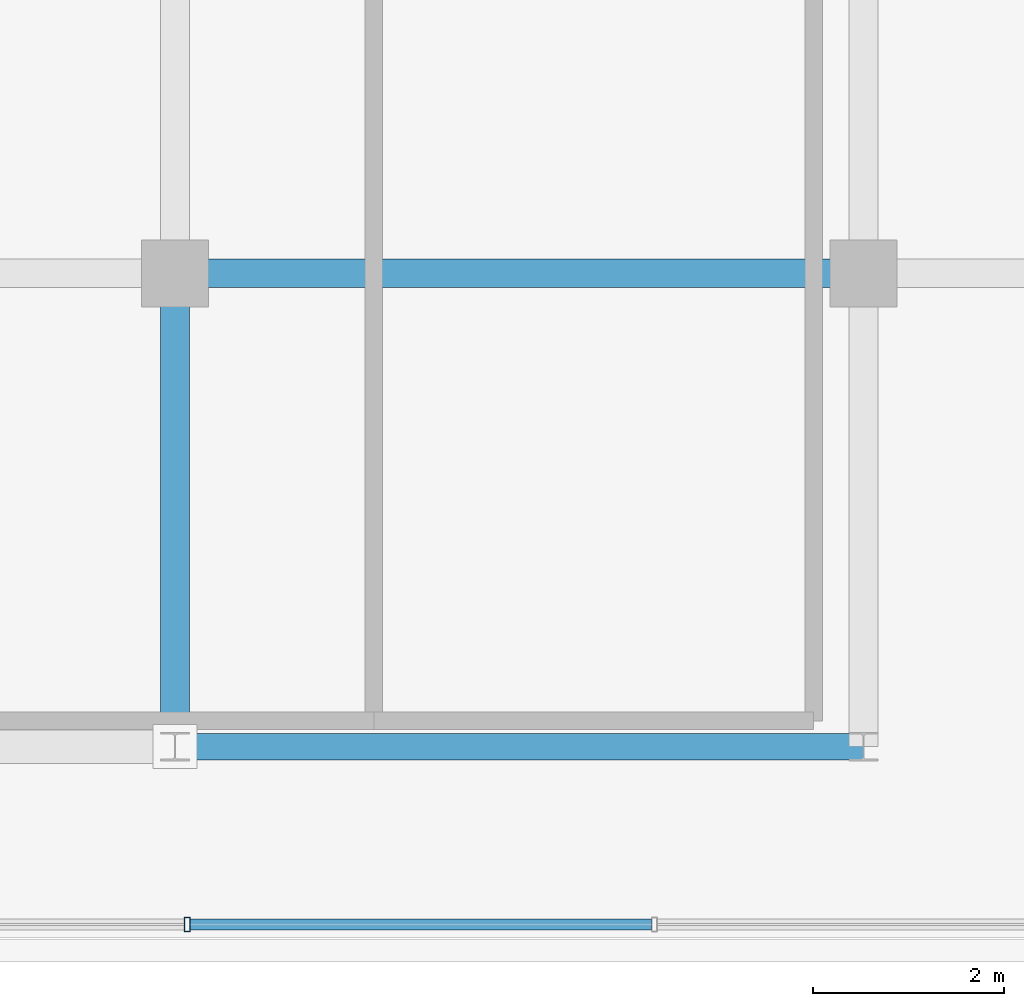
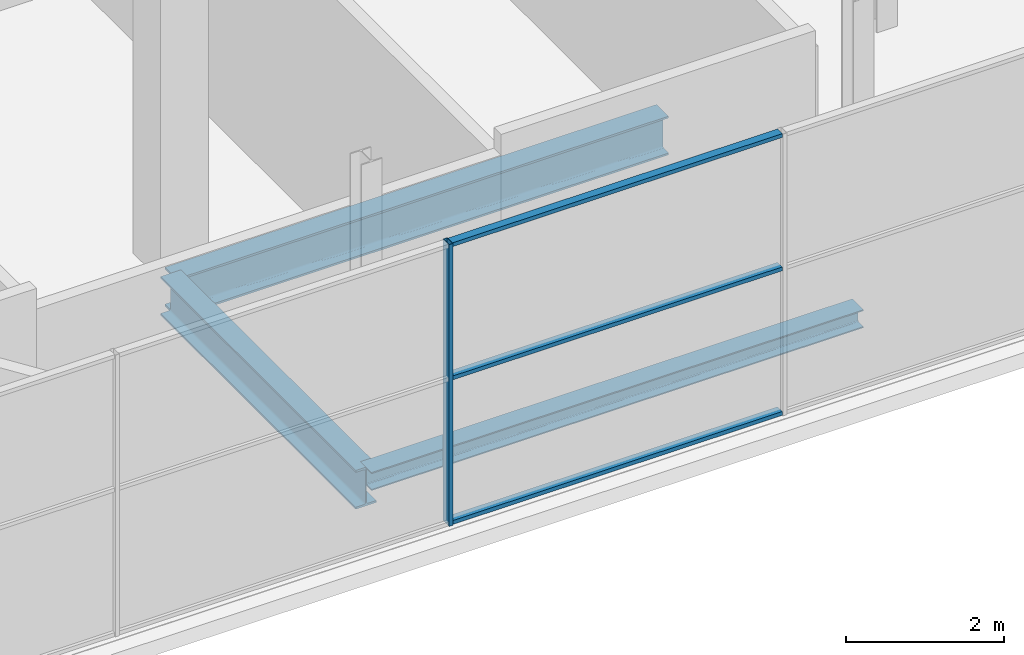
# One storey, part 9 of 28: 4 members, 3 beams, 1 element without a shape of its own.
"""IFC4 building model written with IfcOpenShell, lengths in metres."""

from ifc_helpers import new_model, si_unit, direction, frame, origin, origin_2d, place, context, subcontext, project, spatial, hollow_rectangle, i_section, extrude, source, transform, mapped, material, layer, layer_set, material_profile, profile_set, type_object, element, aggregate, save


model = new_model("IFC4")

# Units and contexts
model_context = context("Model", 3, precision=1e-05, world=origin(), true_north=direction((0.0, 1.0)))
body_context = subcontext(model_context, "Body", "Model", "MODEL_VIEW")
ifc_project = project(units=[si_unit("LENGTHUNIT", "METRE"), si_unit("AREAUNIT", "SQUARE_METRE"), si_unit("VOLUMEUNIT", "CUBIC_METRE"), si_unit("PLANEANGLEUNIT", "RADIAN"), si_unit("MASSUNIT", "GRAM", prefix="KILO")], contexts=[model_context])

# Site, building, storey
site_placement = place(None, origin())
site = spatial("IfcSite", under=ifc_project, at=site_placement, CompositionType="ELEMENT")
building_placement = place(site_placement, origin())
building = spatial("IfcBuilding", under=site, at=building_placement, Name="Zarnakvel Exchange Tower", CompositionType="ELEMENT")
storey_placement = place(building_placement, frame((0.0, 0.0, 276.199951171875)))
storey = spatial("IfcBuildingStorey", under=building, at=storey_placement, Name="Crown L78", CompositionType="ELEMENT", Elevation=276.199951171875)

# Beams
ifc_material_1 = material(Name="Steel S355", Category="steel")
ifc_material_profile_1 = material_profile(ifc_material_1, i_section(OverallWidth=0.300048828125, OverallDepth=0.60009765625, WebThickness=0.015380859375, FlangeThickness=0.030029296875, FilletRadius=0.027099609375, at=origin_2d()))
ifc_profile_set_1 = profile_set([ifc_material_profile_1], Name="Steel S355")
beam_type_1 = type_object("IfcBeamType", Name="G-04", PredefinedType="BEAM", material=ifc_profile_set_1)
beam_1_placement = place(storey_placement, frame((7.199951171875, -9.60009765625, -0.52001953125), z_axis=(1.0, 0.0, 0.0), x_axis=(0.0, 1.0, 0.0)))
element("IfcBeam", 1, at=beam_1_placement, inside=storey, type_object=beam_type_1, Name="Crown L78 Tower E-W Frame Beam", PredefinedType="BEAM", context=body_context, shape_type="SweptSolid", body=[
    extrude(i_section(OverallWidth=0.300048828125, OverallDepth=0.60009765625, WebThickness=0.015380859375, FlangeThickness=0.030029296875, FilletRadius=0.027099609375, at=origin_2d()), origin(), (0.0, 0.0, 1.0), 7.199951171875),
])
beam_2_placement = place(storey_placement, frame((7.199951171875, -14.550048828125, -0.52001953125), z_axis=(0.0, 1.0, 0.0), x_axis=(-1.0, 0.0, 0.0)))
element("IfcBeam", 2, at=beam_2_placement, inside=storey, type_object=beam_type_1, Name="Crown L78 Tower N-S Frame Beam", PredefinedType="BEAM", context=body_context, shape_type="SweptSolid", body=[
    extrude(i_section(OverallWidth=0.300048828125, OverallDepth=0.60009765625, WebThickness=0.015380859375, FlangeThickness=0.030029296875, FilletRadius=0.027099609375, at=origin_2d()), origin(), (0.0, 0.0, 1.0), 4.949951171875),
])
ifc_material_profile_2 = material_profile(ifc_material_1, i_section(OverallWidth=0.280029296875, OverallDepth=0.280029296875, WebThickness=0.010498046875, FlangeThickness=0.01806640625, FilletRadius=0.02392578125, at=origin_2d()))
ifc_profile_set_2 = profile_set([ifc_material_profile_2], Name="Steel S355")
beam_type_2 = type_object("IfcBeamType", Name="SP-04", PredefinedType="SPANDREL", material=ifc_profile_set_2)
beam_3_placement = place(storey_placement, frame((7.199951171875, -14.550048828125, -0.35986328125), z_axis=(1.0, 0.0, 0.0), x_axis=(0.0, 1.0, 0.0)))
element("IfcBeam", 3, at=beam_3_placement, inside=storey, type_object=beam_type_2, Name="Crown L78 Tower E-W Frame Beam", PredefinedType="SPANDREL", context=body_context, shape_type="SweptSolid", body=[
    extrude(i_section(OverallWidth=0.280029296875, OverallDepth=0.280029296875, WebThickness=0.010498046875, FlangeThickness=0.01806640625, FilletRadius=0.02392578125, at=origin_2d()), origin(), (0.0, 0.0, 1.0), 7.199951171875),
])

# Curtain wall, members
ifc_material_2 = material(Name="Architectural Bronze Anodised Aluminium", Category="aluminium")
ifc_layer = layer(ifc_material_2, 0.14990234375)
ifc_layer_set = layer_set([ifc_layer], Name="Architectural Bronze Anodised Aluminium")
curtain_wall_type = type_object("IfcCurtainWallType", Name="CW-07", PredefinedType="NOTDEFINED", material=ifc_layer_set)
curtain_wall_placement = place(storey_placement, origin())
curtain_wall = element("IfcCurtainWall", 4, at=curtain_wall_placement, inside=storey, type_object=curtain_wall_type, Name="Crown L78 Curtain Wall CW-Crown L78-S (CW-07)", PredefinedType="NOTDEFINED")
ifc_material_profile_3 = material_profile(ifc_material_2, hollow_rectangle(XDim=0.14990234375, YDim=0.06005859375, WallThickness=0.00390625, at=origin_2d()))
ifc_profile_set_3 = profile_set([ifc_material_profile_3], Name="Architectural Bronze Anodised Aluminium")
member_type_1 = type_object("IfcMemberType", Name="CWM-07", PredefinedType="MULLION", material=ifc_profile_set_3)
shared_shape_1 = source(origin(), body_context, "Body", "SweptSolid", [
    extrude(hollow_rectangle(XDim=0.14990234375, YDim=0.06005859375, WallThickness=0.00390625, at=origin_2d()), origin(), (0.0, 0.0, 1.0), 4.360107421875),
])
member_1_placement = place(storey_placement, frame((7.32861328125, -16.409912109375, 0.0), z_axis=(0.0, 0.0, 1.0), x_axis=(0.0, 1.0, 0.0)))
member_1 = element("IfcMember", 5, at=member_1_placement, type_object=member_type_1, Name="CW-07 mullion 6", PredefinedType="MULLION", context=body_context, shape_type="MappedRepresentation", body=[
    mapped(shared_shape_1, transform((0.0, 0.0, 0.0), x_axis=(1.0, 0.0, 0.0), y_axis=(0.0, 1.0, 0.0), z_axis=(0.0, 0.0, 1.0), scale=1.0)),
])
ifc_material_profile_4 = material_profile(ifc_material_2, hollow_rectangle(XDim=0.1201171875, YDim=0.06005859375, WallThickness=0.00390625, at=origin_2d()))
ifc_profile_set_4 = profile_set([ifc_material_profile_4], Name="Architectural Bronze Anodised Aluminium")
member_type_2 = type_object("IfcMemberType", Name="CWT-07", PredefinedType="USERDEFINED", material=ifc_profile_set_4)
shared_shape_2 = source(origin(), body_context, "Body", "SweptSolid", [
    extrude(hollow_rectangle(XDim=0.1201171875, YDim=0.06005859375, WallThickness=0.00390625, at=origin_2d()), origin(), (0.0, 0.0, 1.0), 4.82568359375),
])
member_2_placement = place(storey_placement, frame((7.358642578125, -16.409912109375, 0.030029296875), z_axis=(1.0, 0.0, 0.0), x_axis=(0.0, 1.0, 0.0)))
member_2 = element("IfcMember", 6, at=member_2_placement, type_object=member_type_2, Name="CW-07 transom 6.1", ObjectType="TRANSOM", PredefinedType="USERDEFINED", context=body_context, shape_type="MappedRepresentation", body=[
    mapped(shared_shape_2, transform((0.0, 0.0, 0.0), x_axis=(1.0, 0.0, 0.0), y_axis=(0.0, 1.0, 0.0), z_axis=(0.0, 0.0, 1.0), scale=1.0)),
])
member_3_placement = place(storey_placement, frame((7.358642578125, -16.409912109375, 2.267333984375), z_axis=(1.0, 0.0, 0.0), x_axis=(0.0, 1.0, 0.0)))
member_3 = element("IfcMember", 7, at=member_3_placement, type_object=member_type_2, Name="CW-07 transom 6.2", ObjectType="TRANSOM", PredefinedType="USERDEFINED", context=body_context, shape_type="MappedRepresentation", body=[
    mapped(shared_shape_2, transform((0.0, 0.0, 0.0), x_axis=(1.0, 0.0, 0.0), y_axis=(0.0, 1.0, 0.0), z_axis=(0.0, 0.0, 1.0), scale=1.0)),
])
member_4_placement = place(storey_placement, frame((7.358642578125, -16.409912109375, 4.330078125), z_axis=(1.0, 0.0, 0.0), x_axis=(0.0, 1.0, 0.0)))
member_4 = element("IfcMember", 8, at=member_4_placement, type_object=member_type_2, Name="CW-07 transom 6.3", ObjectType="TRANSOM", PredefinedType="USERDEFINED", context=body_context, shape_type="MappedRepresentation", body=[
    mapped(shared_shape_2, transform((0.0, 0.0, 0.0), x_axis=(1.0, 0.0, 0.0), y_axis=(0.0, 1.0, 0.0), z_axis=(0.0, 0.0, 1.0), scale=1.0)),
])
aggregate(curtain_wall, [member_1, member_2, member_3, member_4])

save(model, "model.ifc")
